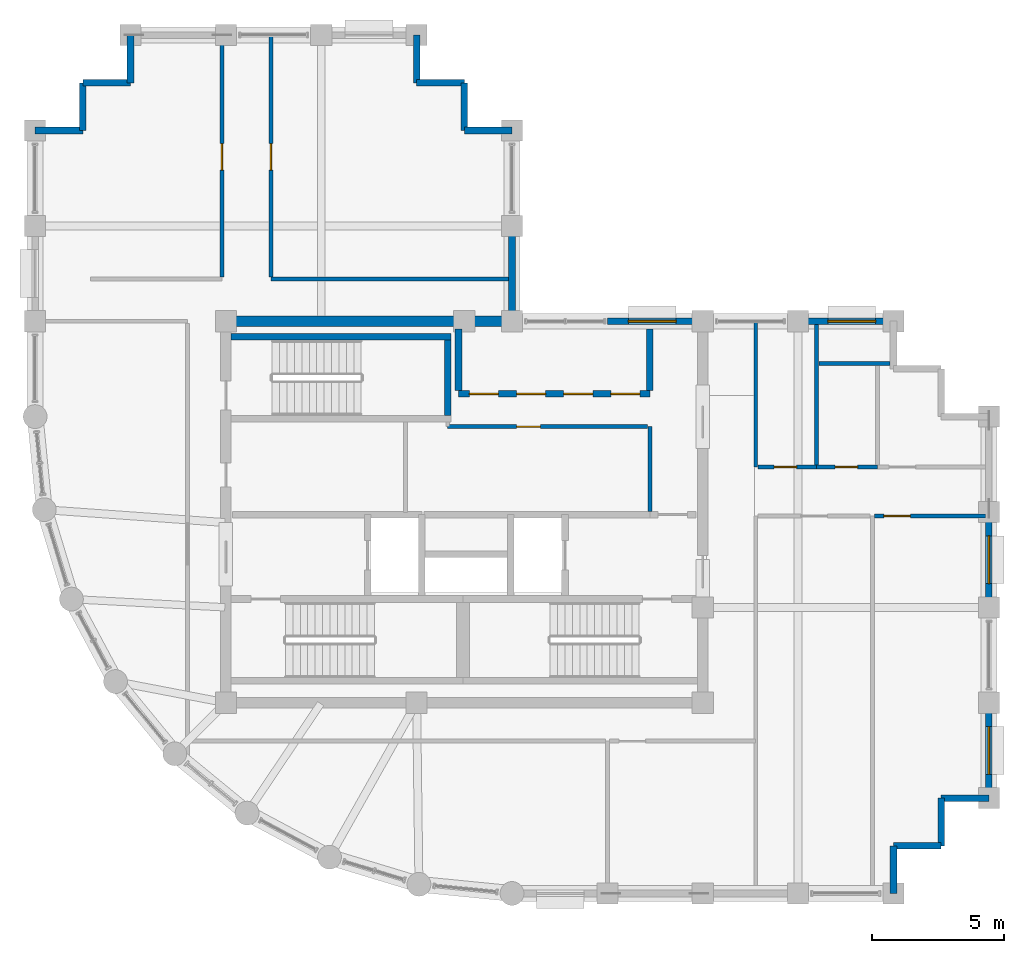
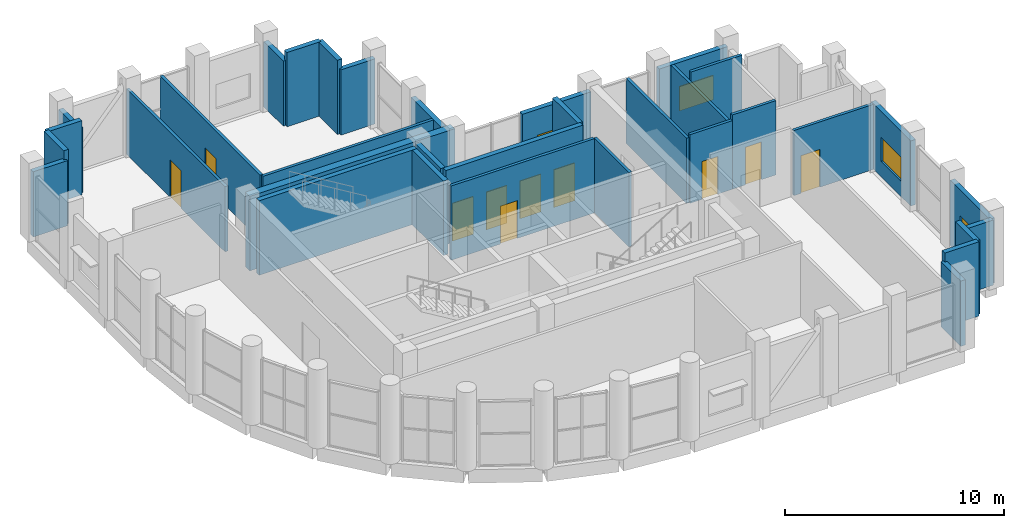
# One storey, part 15 of 18: 34 walls, 10 doors, 4 windows, 14 openings.
"""IFC4 building model written with IfcOpenShell, lengths in metres."""

from ifc_helpers import new_model, si_unit, direction, frame, frame_2d, origin, place, context, subcontext, project, spatial, rectangle, extrude, material, layer, layer_set, type_object, element, fill, save


model = new_model("IFC4")

# Units and contexts
model_context = context("Model", 3, precision=1e-05, world=origin(), true_north=direction((0.0, 1.0)))
body_context = subcontext(model_context, "Body", "Model", "MODEL_VIEW")
ifc_project = project(units=[si_unit("LENGTHUNIT", "METRE"), si_unit("AREAUNIT", "SQUARE_METRE"), si_unit("VOLUMEUNIT", "CUBIC_METRE"), si_unit("PLANEANGLEUNIT", "RADIAN"), si_unit("MASSUNIT", "GRAM", prefix="KILO")], contexts=[model_context])

# Site, building, storey
site_placement = place(None, origin())
site = spatial("IfcSite", under=ifc_project, at=site_placement, CompositionType="ELEMENT")
building_placement = place(site_placement, origin())
building = spatial("IfcBuilding", under=site, at=building_placement, Name="Solnavia Interchange Tower", CompositionType="ELEMENT")
storey_placement = place(building_placement, frame((0.0, 0.0, 295.39990234375)))
storey = spatial("IfcBuildingStorey", under=building, at=storey_placement, Name="L75", CompositionType="ELEMENT", Elevation=295.39990234375)

# Walls
ifc_material_1 = material(Name="Concrete C40/50", Category="concrete")
ifc_layer_1 = layer(ifc_material_1, 0.25)
ifc_layer_set_1 = layer_set([ifc_layer_1], Name="Concrete C40/50")
wall_type_1 = type_object("IfcWallType", Name="Wall-ExtSpandrel-250", PredefinedType="STANDARD", material=ifc_layer_set_1)
wall_1_placement = place(storey_placement, frame((39.60009765625, 5.39990234375, 0.0), z_axis=(0.0, 0.0, 1.0), x_axis=(0.0, -1.0, 0.0)))
element("IfcWall", 1, at=wall_1_placement, inside=storey, type_object=wall_type_1, Name="EXW-L75-05 Exterior precast spandrel wall", PredefinedType="STANDARD", context=body_context, shape_type="SweptSolid", body=[
    extrude(rectangle(XDim=1.7998046875, YDim=0.25, at=frame_2d((0.89990234375, 0.0))), origin(), (0.0, 0.0, 1.0), 3.630126953125),
])
wall_2_placement = place(storey_placement, frame((41.39990234375, 5.39990234375, 0.0), z_axis=(0.0, 0.0, 1.0), x_axis=(-1.0, 0.0, 0.0)))
element("IfcWall", 2, at=wall_2_placement, inside=storey, type_object=wall_type_1, Name="EXW-L75-06 Exterior precast spandrel wall", PredefinedType="STANDARD", context=body_context, shape_type="SweptSolid", body=[
    extrude(rectangle(XDim=1.7998046875, YDim=0.25, at=frame_2d((0.89990234375, 0.0))), origin(), (0.0, 0.0, 1.0), 4.135009765625),
])
wall_3_placement = place(storey_placement, frame((41.39990234375, 7.199951171875, 0.0), z_axis=(0.0, 0.0, 1.0), x_axis=(0.0, -1.0, 0.0)))
element("IfcWall", 3, at=wall_3_placement, inside=storey, type_object=wall_type_1, Name="EXW-L75-07 Exterior precast spandrel wall", PredefinedType="STANDARD", context=body_context, shape_type="SweptSolid", body=[
    extrude(rectangle(XDim=1.800048828125, YDim=0.25, at=frame_2d((0.89990234375, 0.0))), origin(), (0.0, 0.0, 1.0), 4.135009765625),
])
wall_4_placement = place(storey_placement, frame((43.199951171875, 7.199951171875, 0.0), z_axis=(0.0, 0.0, 1.0), x_axis=(-1.0, 0.0, 0.0)))
element("IfcWall", 4, at=wall_4_placement, inside=storey, type_object=wall_type_1, Name="EXW-L75-08 Exterior precast spandrel wall", PredefinedType="STANDARD", context=body_context, shape_type="SweptSolid", body=[
    extrude(rectangle(XDim=1.800048828125, YDim=0.25, at=frame_2d((0.89990234375, 0.0))), origin(), (0.0, 0.0, 1.0), 3.630126953125),
])

# Wall, opening, window
wall_5_placement = place(storey_placement, frame((43.199951171875, 10.800048828125, 0.0), z_axis=(0.0, 0.0, 1.0), x_axis=(0.0, -1.0, 0.0)))
wall_5 = element("IfcWall", 5, at=wall_5_placement, inside=storey, type_object=wall_type_1, Name="EXW-L75-09 Exterior precast spandrel wall", PredefinedType="STANDARD", context=body_context, shape_type="SweptSolid", body=[
    extrude(rectangle(XDim=3.60009765625, YDim=0.25, at=frame_2d((1.800048828125, 0.0))), origin(), (0.0, 0.0, 1.0), 3.630126953125),
])
opening_1_placement = place(wall_5_placement, frame((0.89990234375, 0.0, 0.85009765625)))
opening_1 = element("IfcOpeningElement", 6, at=opening_1_placement, cuts=wall_5, Name="Opening WIN-02", PredefinedType="OPENING", context=body_context, shape_type="SweptSolid", body=[
    extrude(rectangle(XDim=1.800048828125, YDim=1.35009765625, at=frame_2d((0.89990234375, 0.675048828125))), frame((0.0, 0.135009765625, 0.0), z_axis=(0.0, -1.0, 0.0), x_axis=(1.0, 0.0, 0.0)), (0.0, 0.0, 1.0), 0.27001953125),
])
ifc_material_2 = material(Name="Thermal-Break Aluminium & Low-E Glass", Category="aluminium")
window_type = type_object("IfcWindowType", Name="Window-Ribbon-1800x1350", PartitioningType="SINGLE_PANEL", PredefinedType="WINDOW", material=ifc_material_2)
window_1_placement = place(opening_1_placement, origin())
window_1 = element("IfcWindow", 7, at=window_1_placement, inside=storey, type_object=window_type, Name="WIN-L75-09 Facade ribbon window", OverallHeight=1.35009765625, OverallWidth=1.800048828125, PartitioningType="SINGLE_PANEL", PredefinedType="WINDOW", context=body_context, shape_type="SweptSolid", body=[
    extrude(rectangle(XDim=1.800048828125, YDim=1.35009765625, at=frame_2d((0.89990234375, 0.675048828125))), frame((0.0, 0.030029296875, 0.0), z_axis=(0.0, -1.0, 0.0), x_axis=(1.0, 0.0, 0.0)), (0.0, 0.0, 1.0), 0.06005859375),
])
fill(opening_1, window_1)

wall_6_placement = place(storey_placement, frame((43.199951171875, 18.0, 0.0), z_axis=(0.0, 0.0, 1.0), x_axis=(0.0, -1.0, 0.0)))
wall_6 = element("IfcWall", 8, at=wall_6_placement, inside=storey, type_object=wall_type_1, Name="EXW-L75-11 Exterior precast spandrel wall", PredefinedType="STANDARD", context=body_context, shape_type="SweptSolid", body=[
    extrude(rectangle(XDim=3.60009765625, YDim=0.25, at=frame_2d((1.800048828125, 0.0))), origin(), (0.0, 0.0, 1.0), 3.630126953125),
])
opening_2_placement = place(wall_6_placement, frame((0.89990234375, 0.0, 0.85009765625)))
opening_2 = element("IfcOpeningElement", 9, at=opening_2_placement, cuts=wall_6, Name="Opening WIN-02", PredefinedType="OPENING", context=body_context, shape_type="SweptSolid", body=[
    extrude(rectangle(XDim=1.800048828125, YDim=1.35009765625, at=frame_2d((0.89990234375, 0.675048828125))), frame((0.0, 0.135009765625, 0.0), z_axis=(0.0, -1.0, 0.0), x_axis=(1.0, 0.0, 0.0)), (0.0, 0.0, 1.0), 0.27001953125),
])
window_2_placement = place(opening_2_placement, origin())
window_2 = element("IfcWindow", 10, at=window_2_placement, inside=storey, type_object=window_type, Name="WIN-L75-11 Facade ribbon window", OverallHeight=1.35009765625, OverallWidth=1.800048828125, PartitioningType="SINGLE_PANEL", PredefinedType="WINDOW", context=body_context, shape_type="SweptSolid", body=[
    extrude(rectangle(XDim=1.800048828125, YDim=1.35009765625, at=frame_2d((0.89990234375, 0.675048828125))), frame((0.0, 0.030029296875, 0.0), z_axis=(0.0, -1.0, 0.0), x_axis=(1.0, 0.0, 0.0)), (0.0, 0.0, 1.0), 0.06005859375),
])
fill(opening_2, window_2)

wall_7_placement = place(storey_placement, frame((36.0, 25.199951171875, 0.0), z_axis=(0.0, 0.0, 1.0), x_axis=(1.0, 0.0, 0.0)))
wall_7 = element("IfcWall", 11, at=wall_7_placement, inside=storey, type_object=wall_type_1, Name="EXW-L75-17 Exterior precast spandrel wall", PredefinedType="STANDARD", context=body_context, shape_type="SweptSolid", body=[
    extrude(rectangle(XDim=3.60009765625, YDim=0.25, at=frame_2d((1.800048828125, 0.0))), origin(), (0.0, 0.0, 1.0), 3.630126953125),
])
opening_3_placement = place(wall_7_placement, frame((1.1201171875, 0.0, 0.85009765625)))
opening_3 = element("IfcOpeningElement", 12, at=opening_3_placement, cuts=wall_7, Name="Opening WIN-02", PredefinedType="OPENING", context=body_context, shape_type="SweptSolid", body=[
    extrude(rectangle(XDim=1.800048828125, YDim=1.35009765625, at=frame_2d((0.89990234375, 0.675048828125))), frame((0.0, 0.135009765625, 0.0), z_axis=(0.0, -1.0, 0.0), x_axis=(1.0, 0.0, 0.0)), (0.0, 0.0, 1.0), 0.27001953125),
])
window_3_placement = place(opening_3_placement, origin())
window_3 = element("IfcWindow", 13, at=window_3_placement, inside=storey, type_object=window_type, Name="WIN-L75-17 Facade ribbon window", OverallHeight=1.35009765625, OverallWidth=1.800048828125, PartitioningType="SINGLE_PANEL", PredefinedType="WINDOW", context=body_context, shape_type="SweptSolid", body=[
    extrude(rectangle(XDim=1.800048828125, YDim=1.35009765625, at=frame_2d((0.89990234375, 0.675048828125))), frame((0.0, 0.030029296875, 0.0), z_axis=(0.0, -1.0, 0.0), x_axis=(1.0, 0.0, 0.0)), (0.0, 0.0, 1.0), 0.06005859375),
])
fill(opening_3, window_3)

wall_8_placement = place(storey_placement, frame((28.800048828125, 25.199951171875, 0.0), z_axis=(0.0, 0.0, 1.0), x_axis=(1.0, 0.0, 0.0)))
wall_8 = element("IfcWall", 14, at=wall_8_placement, inside=storey, type_object=wall_type_1, Name="EXW-L75-19 Exterior precast spandrel wall", PredefinedType="STANDARD", context=body_context, shape_type="SweptSolid", body=[
    extrude(rectangle(XDim=3.599853515625, YDim=0.25, at=frame_2d((1.7998046875, 0.0))), origin(), (0.0, 0.0, 1.0), 3.630126953125),
])
opening_4_placement = place(wall_8_placement, frame((0.794921875, 0.0, 0.85009765625)))
opening_4 = element("IfcOpeningElement", 15, at=opening_4_placement, cuts=wall_8, Name="Opening WIN-02", PredefinedType="OPENING", context=body_context, shape_type="SweptSolid", body=[
    extrude(rectangle(XDim=1.800048828125, YDim=1.35009765625, at=frame_2d((0.89990234375, 0.675048828125))), frame((0.0, 0.135009765625, 0.0), z_axis=(0.0, -1.0, 0.0), x_axis=(1.0, 0.0, 0.0)), (0.0, 0.0, 1.0), 0.27001953125),
])
window_4_placement = place(opening_4_placement, origin())
window_4 = element("IfcWindow", 16, at=window_4_placement, inside=storey, type_object=window_type, Name="WIN-L75-19 Facade ribbon window", OverallHeight=1.35009765625, OverallWidth=1.800048828125, PartitioningType="SINGLE_PANEL", PredefinedType="WINDOW", context=body_context, shape_type="SweptSolid", body=[
    extrude(rectangle(XDim=1.800048828125, YDim=1.35009765625, at=frame_2d((0.89990234375, 0.675048828125))), frame((0.0, 0.030029296875, 0.0), z_axis=(0.0, -1.0, 0.0), x_axis=(1.0, 0.0, 0.0)), (0.0, 0.0, 1.0), 0.06005859375),
])
fill(opening_4, window_4)

# Walls
wall_9_placement = place(storey_placement, frame((25.199951171875, 28.800048828125, 0.0), z_axis=(0.0, 0.0, 1.0), x_axis=(0.0, -1.0, 0.0)))
element("IfcWall", 17, at=wall_9_placement, inside=storey, type_object=wall_type_1, Name="EXW-L75-21 Exterior precast spandrel wall", PredefinedType="STANDARD", context=body_context, shape_type="SweptSolid", body=[
    extrude(rectangle(XDim=3.60009765625, YDim=0.25, at=frame_2d((1.800048828125, 0.0))), origin(), (0.0, 0.0, 1.0), 3.630126953125),
])
wall_10_placement = place(storey_placement, frame((23.39990234375, 32.39990234375, 0.0), z_axis=(0.0, 0.0, 1.0), x_axis=(1.0, 0.0, 0.0)))
element("IfcWall", 18, at=wall_10_placement, inside=storey, type_object=wall_type_1, Name="EXW-L75-23 Exterior precast spandrel wall", PredefinedType="STANDARD", context=body_context, shape_type="SweptSolid", body=[
    extrude(rectangle(XDim=1.800048828125, YDim=0.25, at=frame_2d((0.89990234375, 0.0))), origin(), (0.0, 0.0, 1.0), 3.630126953125),
])
wall_11_placement = place(storey_placement, frame((23.39990234375, 32.39990234375, 0.0), z_axis=(0.0, 0.0, 1.0), x_axis=(0.0, 1.0, 0.0)))
element("IfcWall", 19, at=wall_11_placement, inside=storey, type_object=wall_type_1, Name="EXW-L75-24 Exterior precast spandrel wall", PredefinedType="STANDARD", context=body_context, shape_type="SweptSolid", body=[
    extrude(rectangle(XDim=1.800048828125, YDim=0.25, at=frame_2d((0.89990234375, 0.0))), origin(), (0.0, 0.0, 1.0), 4.135009765625),
])
wall_12_placement = place(storey_placement, frame((21.60009765625, 34.199951171875, 0.0), z_axis=(0.0, 0.0, 1.0), x_axis=(1.0, 0.0, 0.0)))
element("IfcWall", 20, at=wall_12_placement, inside=storey, type_object=wall_type_1, Name="EXW-L75-25 Exterior precast spandrel wall", PredefinedType="STANDARD", context=body_context, shape_type="SweptSolid", body=[
    extrude(rectangle(XDim=1.7998046875, YDim=0.25, at=frame_2d((0.89990234375, 0.0))), origin(), (0.0, 0.0, 1.0), 4.135009765625),
])
for number, where, z_axis, x_axis, name in (
    (21, (21.60009765625, 34.199951171875, 0.0), (0.0, 0.0, 1.0), (0.0, 1.0, 0.0), "EXW-L75-26 Exterior precast spandrel wall"),
    (22, (10.800048828125, 34.199951171875, 0.0), (0.0, 0.0, 1.0), (0.0, 1.0, 0.0), "EXW-L75-30 Exterior precast spandrel wall"),
):
    element("IfcWall", number, at=place(storey_placement, frame(where, z_axis=z_axis, x_axis=x_axis)), inside=storey, type_object=wall_type_1, Name=name, PredefinedType="STANDARD", context=body_context, shape_type="SweptSolid", body=[
        extrude(rectangle(XDim=1.800048828125, YDim=0.25, at=frame_2d((0.89990234375, 0.0))), origin(), (0.0, 0.0, 1.0), 3.630126953125),
    ])
for number, where, z_axis, x_axis, name in (
    (23, (9.0, 34.199951171875, 0.0), (0.0, 0.0, 1.0), (1.0, 0.0, 0.0), "EXW-L75-31 Exterior precast spandrel wall"),
    (24, (9.0, 32.39990234375, 0.0), (0.0, 0.0, 1.0), (0.0, 1.0, 0.0), "EXW-L75-32 Exterior precast spandrel wall"),
):
    element("IfcWall", number, at=place(storey_placement, frame(where, z_axis=z_axis, x_axis=x_axis)), inside=storey, type_object=wall_type_1, Name=name, PredefinedType="STANDARD", context=body_context, shape_type="SweptSolid", body=[
        extrude(rectangle(XDim=1.800048828125, YDim=0.25, at=frame_2d((0.89990234375, 0.0))), origin(), (0.0, 0.0, 1.0), 4.135009765625),
    ])
wall_13_placement = place(storey_placement, frame((7.199951171875, 32.39990234375, 0.0), z_axis=(0.0, 0.0, 1.0), x_axis=(1.0, 0.0, 0.0)))
element("IfcWall", 25, at=wall_13_placement, inside=storey, type_object=wall_type_1, Name="EXW-L75-33 Exterior precast spandrel wall", PredefinedType="STANDARD", context=body_context, shape_type="SweptSolid", body=[
    extrude(rectangle(XDim=1.800048828125, YDim=0.25, at=frame_2d((0.89990234375, 0.0))), origin(), (0.0, 0.0, 1.0), 3.630126953125),
])

# Wall, opening, door
ifc_material_3 = material(Name="Gypsum Plasterboard & Steel Stud", Category="steel")
ifc_layer_2 = layer(ifc_material_3, 0.14990234375)
ifc_layer_set_2 = layer_set([ifc_layer_2], Name="Gypsum Plasterboard & Steel Stud")
wall_type_2 = type_object("IfcWallType", Name="Wall-Partition-150", PredefinedType="PARTITIONING", material=ifc_layer_set_2)
wall_14_placement = place(storey_placement, frame((22.77490234375, 21.219970703125, 0.0), z_axis=(0.0, 0.0, 1.0), x_axis=(1.0, 0.0, 0.0)))
wall_14 = element("IfcWall", 26, at=wall_14_placement, inside=storey, type_object=wall_type_2, Name="CSW-L75-N-ALL Core shaft wall", PredefinedType="PARTITIONING", context=body_context, shape_type="SweptSolid", body=[
    extrude(rectangle(XDim=7.545166015625, YDim=0.14990234375, at=frame_2d((3.7724609375, 0.0))), origin(), (0.0, 0.0, 1.0), 4.135009765625),
])
opening_5_placement = place(wall_14_placement, frame((2.60009765625, 0.0, 0.0)))
opening_5 = element("IfcOpeningElement", 27, at=opening_5_placement, cuts=wall_14, Name="Opening DR-09", PredefinedType="OPENING", context=body_context, shape_type="SweptSolid", body=[
    extrude(rectangle(XDim=0.89990234375, YDim=2.10009765625, at=frame_2d((0.449951171875, 1.050048828125))), frame((0.0, 0.0849609375, 0.0), z_axis=(0.0, -1.0, 0.0), x_axis=(1.0, 0.0, 0.0)), (0.0, 0.0, 1.0), 0.169921875),
])
ifc_material_4 = material(Name="Engineered Oak Veneer Door", Category="wood")
door_type_1 = type_object("IfcDoorType", Name="Door-Internal-900x2100", OperationType="SINGLE_SWING_LEFT", PredefinedType="DOOR", material=ifc_material_4)
door_1_placement = place(opening_5_placement, origin())
door_1 = element("IfcDoor", 28, at=door_1_placement, inside=storey, type_object=door_type_1, Name="DR-L75-CS2 Core fire door", OperationType="SINGLE_SWING_RIGHT", OverallHeight=2.10009765625, OverallWidth=0.89990234375, PredefinedType="DOOR", context=body_context, shape_type="SweptSolid", body=[
    extrude(rectangle(XDim=0.89990234375, YDim=2.10009765625, at=frame_2d((0.449951171875, 1.050048828125))), frame((0.0, 0.02490234375, 0.0), z_axis=(0.0, -1.0, 0.0), x_axis=(1.0, 0.0, 0.0)), (0.0, 0.0, 1.0), 0.050048828125),
])
fill(opening_5, door_1)

# Wall
wall_15_placement = place(storey_placement, frame((30.39990234375, 18.02001953125, 0.0), z_axis=(0.0, 0.0, 1.0), x_axis=(0.0, 1.0, 0.0)))
element("IfcWall", 29, at=wall_15_placement, inside=storey, type_object=wall_type_2, Name="CSW-L75-E-E Core shaft wall", PredefinedType="PARTITIONING", context=body_context, shape_type="SweptSolid", body=[
    extrude(rectangle(XDim=3.199951171875, YDim=0.14990234375, at=frame_2d((1.60009765625, 0.0))), origin(), (0.0, 0.0, 1.0), 4.135009765625),
])

# Wall, opening, door
wall_16_placement = place(storey_placement, frame((38.87890625, 17.85009765625, 0.0), z_axis=(0.0, 0.0, 1.0), x_axis=(1.0, 0.0, 0.0)))
wall_16 = element("IfcWall", 30, at=wall_16_placement, inside=storey, type_object=wall_type_2, Name="PTW-L75-15 Interior partition wall", PredefinedType="PARTITIONING", context=body_context, shape_type="SweptSolid", body=[
    extrude(rectangle(XDim=4.192138671875, YDim=0.14990234375, at=frame_2d((2.09619140625, 0.0))), origin(), (0.0, 0.0, 1.0), 3.630126953125),
])
opening_6_placement = place(wall_16_placement, frame((0.360107421875, 0.0, 0.0)))
opening_6 = element("IfcOpeningElement", 31, at=opening_6_placement, cuts=wall_16, Name="Opening DR-07", PredefinedType="OPENING", context=body_context, shape_type="SweptSolid", body=[
    extrude(rectangle(XDim=1.0, YDim=2.10009765625, at=frame_2d((0.5, 1.050048828125))), frame((0.0, 0.0849609375, 0.0), z_axis=(0.0, -1.0, 0.0), x_axis=(1.0, 0.0, 0.0)), (0.0, 0.0, 1.0), 0.169921875),
])
ifc_material_5 = material(Name="Timber & Acoustic Glazed Office Door", Category="wood")
door_type_2 = type_object("IfcDoorType", Name="Door-Office-1000x2100", OperationType="SINGLE_SWING_RIGHT", PredefinedType="DOOR", material=ifc_material_5)
door_2_placement = place(opening_6_placement, origin())
door_2 = element("IfcDoor", 32, at=door_2_placement, inside=storey, type_object=door_type_2, Name="DR-L75-06 Interior room door", OperationType="SINGLE_SWING_RIGHT", OverallHeight=2.10009765625, OverallWidth=1.0, PredefinedType="DOOR", context=body_context, shape_type="SweptSolid", body=[
    extrude(rectangle(XDim=1.0, YDim=2.10009765625, at=frame_2d((0.5, 1.050048828125))), frame((0.0, 0.02490234375, 0.0), z_axis=(0.0, -1.0, 0.0), x_axis=(1.0, 0.0, 0.0)), (0.0, 0.0, 1.0), 0.050048828125),
])
fill(opening_6, door_2)

wall_17_placement = place(storey_placement, frame((14.25, 26.87890625, 0.0), z_axis=(0.0, 0.0, 1.0), x_axis=(0.0, 1.0, 0.0)))
wall_17 = element("IfcWall", 33, at=wall_17_placement, inside=storey, type_object=wall_type_2, Name="PTW-L75-18 Interior partition wall", PredefinedType="PARTITIONING", context=body_context, shape_type="SweptSolid", body=[
    extrude(rectangle(XDim=8.9921875, YDim=0.14990234375, at=frame_2d((4.49609375, 0.0))), origin(), (0.0, 0.0, 1.0), 3.630126953125),
])
opening_7_placement = place(wall_17_placement, frame((4.02099609375, 0.0, 0.0)))
opening_7 = element("IfcOpeningElement", 34, at=opening_7_placement, cuts=wall_17, Name="Opening DR-07", PredefinedType="OPENING", context=body_context, shape_type="SweptSolid", body=[
    extrude(rectangle(XDim=1.0, YDim=2.10009765625, at=frame_2d((0.5, 1.050048828125))), frame((0.0, 0.0849609375, 0.0), z_axis=(0.0, -1.0, 0.0), x_axis=(1.0, 0.0, 0.0)), (0.0, 0.0, 1.0), 0.169921875),
])
door_3_placement = place(opening_7_placement, origin())
door_3 = element("IfcDoor", 35, at=door_3_placement, inside=storey, type_object=door_type_2, Name="DR-L75-08 Interior room door", OperationType="SINGLE_SWING_RIGHT", OverallHeight=2.10009765625, OverallWidth=1.0, PredefinedType="DOOR", context=body_context, shape_type="SweptSolid", body=[
    extrude(rectangle(XDim=1.0, YDim=2.10009765625, at=frame_2d((0.5, 1.050048828125))), frame((0.0, 0.02490234375, 0.0), z_axis=(0.0, -1.0, 0.0), x_axis=(1.0, 0.0, 0.0)), (0.0, 0.0, 1.0), 0.050048828125),
])
fill(opening_7, door_3)

# Wall
wall_18_placement = place(storey_placement, frame((16.10009765625, 26.800048828125, 0.0), z_axis=(0.0, 0.0, 1.0), x_axis=(1.0, 0.0, 0.0)))
element("IfcWall", 36, at=wall_18_placement, inside=storey, type_object=wall_type_2, Name="PTW-L75-19 Interior partition wall", PredefinedType="PARTITIONING", context=body_context, shape_type="SweptSolid", body=[
    extrude(rectangle(XDim=8.970947265625, YDim=0.14990234375, at=frame_2d((4.4853515625, 0.0))), origin(), (0.0, 0.0, 1.0), 3.630126953125),
])

# Wall, opening, door
wall_19_placement = place(storey_placement, frame((16.10009765625, 26.87890625, 0.0), z_axis=(0.0, 0.0, 1.0), x_axis=(0.0, 1.0, 0.0)))
wall_19 = element("IfcWall", 37, at=wall_19_placement, inside=storey, type_object=wall_type_2, Name="PTW-L75-20 Interior partition wall", PredefinedType="PARTITIONING", context=body_context, shape_type="SweptSolid", body=[
    extrude(rectangle(XDim=9.12109375, YDim=0.14990234375, at=frame_2d((4.560546875, 0.0))), origin(), (0.0, 0.0, 1.0), 3.630126953125),
])
opening_8_placement = place(wall_19_placement, frame((4.02099609375, 0.0, 0.0)))
opening_8 = element("IfcOpeningElement", 38, at=opening_8_placement, cuts=wall_19, Name="Opening DR-07", PredefinedType="OPENING", context=body_context, shape_type="SweptSolid", body=[
    extrude(rectangle(XDim=1.0, YDim=2.10009765625, at=frame_2d((0.5, 1.050048828125))), frame((0.0, 0.0849609375, 0.0), z_axis=(0.0, -1.0, 0.0), x_axis=(1.0, 0.0, 0.0)), (0.0, 0.0, 1.0), 0.169921875),
])
door_4_placement = place(opening_8_placement, origin())
door_4 = element("IfcDoor", 39, at=door_4_placement, inside=storey, type_object=door_type_2, Name="DR-L75-09 Interior room door", OperationType="SINGLE_SWING_LEFT", OverallHeight=2.10009765625, OverallWidth=1.0, PredefinedType="DOOR", context=body_context, shape_type="SweptSolid", body=[
    extrude(rectangle(XDim=1.0, YDim=2.10009765625, at=frame_2d((0.5, 1.050048828125))), frame((0.0, 0.02490234375, 0.0), z_axis=(0.0, -1.0, 0.0), x_axis=(1.0, 0.0, 0.0)), (0.0, 0.0, 1.0), 0.050048828125),
])
fill(opening_8, door_4)

# Walls
ifc_layer_3 = layer(ifc_material_1, 0.25)
ifc_layer_set_3 = layer_set([ifc_layer_3], Name="Concrete C40/50")
wall_type_3 = type_object("IfcWallType", Name="Wall-ShaftCore-250", PredefinedType="SHEAR", material=ifc_layer_set_3)
wall_20_placement = place(storey_placement, frame((14.60009765625, 24.614990234375, 0.0), z_axis=(0.0, 0.0, 1.0), x_axis=(1.0, 0.0, 0.0)))
element("IfcWall", 40, at=wall_20_placement, inside=storey, type_object=wall_type_3, Name="SHW-L75-ST3N Core shear wall", PredefinedType="SHEAR", context=body_context, shape_type="SweptSolid", body=[
    extrude(rectangle(XDim=8.2998046875, YDim=0.25, at=frame_2d((4.14990234375, 0.0))), origin(), (0.0, 0.0, 1.0), 4.150146484375),
])
wall_21_placement = place(storey_placement, frame((22.77490234375, 21.64990234375, 0.0), z_axis=(0.0, 0.0, 1.0), x_axis=(0.0, 1.0, 0.0)))
element("IfcWall", 41, at=wall_21_placement, inside=storey, type_object=wall_type_3, Name="SHW-L75-ST3E Core shear wall", PredefinedType="SHEAR", context=body_context, shape_type="SweptSolid", body=[
    extrude(rectangle(XDim=2.840087890625, YDim=0.25, at=frame_2d((1.419921875, 0.0))), origin(), (0.0, 0.0, 1.0), 4.150146484375),
])

# Wall, openings, doors
ifc_layer_4 = layer(ifc_material_1, 0.25)
ifc_layer_set_4 = layer_set([ifc_layer_4], Name="Concrete C40/50")
wall_type_4 = type_object("IfcWallType", Name="Wall-ShaftPart-250", PredefinedType="PARTITIONING", material=ifc_layer_set_4)
wall_22_placement = place(storey_placement, frame((23.179931640625, 22.4599609375, 0.0), z_axis=(0.0, 0.0, 1.0), x_axis=(1.0, 0.0, 0.0)))
wall_22 = element("IfcWall", 42, at=wall_22_placement, inside=storey, type_object=wall_type_4, Name="SHW-L75-B3S Core shaft wall", PredefinedType="PARTITIONING", context=body_context, shape_type="SweptSolid", body=[
    extrude(rectangle(XDim=7.219970703125, YDim=0.25, at=frame_2d((3.60986328125, 0.0))), origin(), (0.0, 0.0, 1.0), 4.135009765625),
])
opening_9_placement = place(wall_22_placement, frame((0.409912109375, 0.0, 0.0)))
opening_9 = element("IfcOpeningElement", 43, at=opening_9_placement, cuts=wall_22, Name="Opening LD-01", PredefinedType="OPENING", context=body_context, shape_type="SweptSolid", body=[
    extrude(rectangle(XDim=1.10009765625, YDim=2.10009765625, at=frame_2d((0.550048828125, 1.050048828125))), frame((0.0, 0.135009765625, 0.0), z_axis=(0.0, -1.0, 0.0), x_axis=(1.0, 0.0, 0.0)), (0.0, 0.0, 1.0), 0.27001953125),
])
opening_10_placement = place(wall_22_placement, frame((2.18994140625, 0.0, 0.0)))
opening_10 = element("IfcOpeningElement", 44, at=opening_10_placement, cuts=wall_22, Name="Opening LD-01", PredefinedType="OPENING", context=body_context, shape_type="SweptSolid", body=[
    extrude(rectangle(XDim=1.10009765625, YDim=2.10009765625, at=frame_2d((0.550048828125, 1.050048828125))), frame((0.0, 0.135009765625, 0.0), z_axis=(0.0, -1.0, 0.0), x_axis=(1.0, 0.0, 0.0)), (0.0, 0.0, 1.0), 0.27001953125),
])
opening_11_placement = place(wall_22_placement, frame((3.969970703125, 0.0, 0.0)))
opening_11 = element("IfcOpeningElement", 45, at=opening_11_placement, cuts=wall_22, Name="Opening LD-01", PredefinedType="OPENING", context=body_context, shape_type="SweptSolid", body=[
    extrude(rectangle(XDim=1.10009765625, YDim=2.10009765625, at=frame_2d((0.550048828125, 1.050048828125))), frame((0.0, 0.135009765625, 0.0), z_axis=(0.0, -1.0, 0.0), x_axis=(1.0, 0.0, 0.0)), (0.0, 0.0, 1.0), 0.27001953125),
])
opening_12_placement = place(wall_22_placement, frame((5.75, 0.0, 0.0)))
opening_12 = element("IfcOpeningElement", 46, at=opening_12_placement, cuts=wall_22, Name="Opening LD-01", PredefinedType="OPENING", context=body_context, shape_type="SweptSolid", body=[
    extrude(rectangle(XDim=1.10009765625, YDim=2.10009765625, at=frame_2d((0.550048828125, 1.050048828125))), frame((0.0, 0.135009765625, 0.0), z_axis=(0.0, -1.0, 0.0), x_axis=(1.0, 0.0, 0.0)), (0.0, 0.0, 1.0), 0.27001953125),
])
ifc_material_6 = material(Name="Brushed Stainless Steel Sliding Door", Category="steel")
door_type_3 = type_object("IfcDoorType", Name="Door-LiftLanding-1100x2100", OperationType="SLIDING_TO_LEFT", PredefinedType="DOOR", material=ifc_material_6)
door_5_placement = place(opening_9_placement, origin())
door_5 = element("IfcDoor", 47, at=door_5_placement, inside=storey, type_object=door_type_3, Name="LD-L75-B3-1 Lift landing sliding door", OperationType="SLIDING_TO_LEFT", OverallHeight=2.10009765625, OverallWidth=1.10009765625, PredefinedType="DOOR", context=body_context, shape_type="SweptSolid", body=[
    extrude(rectangle(XDim=1.10009765625, YDim=2.10009765625, at=frame_2d((0.550048828125, 1.050048828125))), frame((0.0, 0.02490234375, 0.0), z_axis=(0.0, -1.0, 0.0), x_axis=(1.0, 0.0, 0.0)), (0.0, 0.0, 1.0), 0.050048828125),
])
fill(opening_9, door_5)
door_6_placement = place(opening_10_placement, origin())
door_6 = element("IfcDoor", 48, at=door_6_placement, inside=storey, type_object=door_type_3, Name="LD-L75-B3-2 Lift landing sliding door", OperationType="SLIDING_TO_LEFT", OverallHeight=2.10009765625, OverallWidth=1.10009765625, PredefinedType="DOOR", context=body_context, shape_type="SweptSolid", body=[
    extrude(rectangle(XDim=1.10009765625, YDim=2.10009765625, at=frame_2d((0.550048828125, 1.050048828125))), frame((0.0, 0.02490234375, 0.0), z_axis=(0.0, -1.0, 0.0), x_axis=(1.0, 0.0, 0.0)), (0.0, 0.0, 1.0), 0.050048828125),
])
fill(opening_10, door_6)
door_7_placement = place(opening_11_placement, origin())
door_7 = element("IfcDoor", 49, at=door_7_placement, inside=storey, type_object=door_type_3, Name="LD-L75-B3-3 Lift landing sliding door", OperationType="SLIDING_TO_LEFT", OverallHeight=2.10009765625, OverallWidth=1.10009765625, PredefinedType="DOOR", context=body_context, shape_type="SweptSolid", body=[
    extrude(rectangle(XDim=1.10009765625, YDim=2.10009765625, at=frame_2d((0.550048828125, 1.050048828125))), frame((0.0, 0.02490234375, 0.0), z_axis=(0.0, -1.0, 0.0), x_axis=(1.0, 0.0, 0.0)), (0.0, 0.0, 1.0), 0.050048828125),
])
fill(opening_11, door_7)
door_8_placement = place(opening_12_placement, origin())
door_8 = element("IfcDoor", 50, at=door_8_placement, inside=storey, type_object=door_type_3, Name="LD-L75-B3-4 Lift landing sliding door", OperationType="SLIDING_TO_LEFT", OverallHeight=2.10009765625, OverallWidth=1.10009765625, PredefinedType="DOOR", context=body_context, shape_type="SweptSolid", body=[
    extrude(rectangle(XDim=1.10009765625, YDim=2.10009765625, at=frame_2d((0.550048828125, 1.050048828125))), frame((0.0, 0.02490234375, 0.0), z_axis=(0.0, -1.0, 0.0), x_axis=(1.0, 0.0, 0.0)), (0.0, 0.0, 1.0), 0.050048828125),
])
fill(opening_12, door_8)

# Walls
for number, where, z_axis, x_axis, name in (
    (51, (23.179931640625, 22.5849609375, 0.0), (0.0, 0.0, 1.0), (0.0, 1.0, 0.0), "SHW-L75-B3W Core shaft wall"),
    (52, (30.39990234375, 22.5849609375, 0.0), (0.0, 0.0, 1.0), (0.0, 1.0, 0.0), "SHW-L75-B3E Core shaft wall"),
):
    element("IfcWall", number, at=place(storey_placement, frame(where, z_axis=z_axis, x_axis=x_axis)), inside=storey, type_object=wall_type_4, Name=name, PredefinedType="PARTITIONING", context=body_context, shape_type="SweptSolid", body=[
        extrude(rectangle(XDim=2.31494140625, YDim=0.25, at=frame_2d((1.157470703125, 0.0))), origin(), (0.0, 0.0, 1.0), 4.135009765625),
    ])
ifc_material_7 = material(Name="Concrete C50/60", Category="concrete")
ifc_layer_5 = layer(ifc_material_7, 0.39990234375)
ifc_layer_set_5 = layer_set([ifc_layer_5], Name="Concrete C50/60")
wall_type_5 = type_object("IfcWallType", Name="Wall-ShearCore-400", PredefinedType="SHEAR", material=ifc_layer_set_5)
wall_23_placement = place(storey_placement, frame((14.39990234375, 25.199951171875, 0.0), z_axis=(0.0, 0.0, 1.0), x_axis=(1.0, 0.0, 0.0)))
element("IfcWall", 53, at=wall_23_placement, inside=storey, type_object=wall_type_5, Name="CRW-L75-N Core shear wall", PredefinedType="SHEAR", context=body_context, shape_type="SweptSolid", body=[
    extrude(rectangle(XDim=10.800048828125, YDim=0.39990234375, at=frame_2d((5.39990234375, 0.0))), origin(), (0.0, 0.0, 1.0), 4.150146484375),
])
ifc_material_8 = material(Name="Moisture-Resistant Gypsum & Steel Stud", Category="steel")
ifc_layer_6 = layer(ifc_material_8, 0.14990234375)
ifc_layer_set_6 = layer_set([ifc_layer_6], Name="Moisture-Resistant Gypsum & Steel Stud")
wall_type_6 = type_object("IfcWallType", Name="Wall-WetRoom-150", PredefinedType="PARTITIONING", material=ifc_layer_set_6)
wall_24_placement = place(storey_placement, frame((34.39990234375, 19.699951171875, 0.0), z_axis=(0.0, 0.0, 1.0), x_axis=(0.0, 1.0, 0.0)))
element("IfcWall", 54, at=wall_24_placement, inside=storey, type_object=wall_type_6, Name="PTW-L75-01 Interior partition wall", PredefinedType="PARTITIONING", context=body_context, shape_type="SweptSolid", body=[
    extrude(rectangle(XDim=5.5, YDim=0.14990234375, at=frame_2d((2.75, 0.0))), origin(), (0.0, 0.0, 1.0), 3.630126953125),
])

# Wall, opening, door
wall_25_placement = place(storey_placement, frame((34.47900390625, 19.699951171875, 0.0), z_axis=(0.0, 0.0, 1.0), x_axis=(1.0, 0.0, 0.0)))
wall_25 = element("IfcWall", 55, at=wall_25_placement, inside=storey, type_object=wall_type_6, Name="PTW-L75-02 Interior partition wall", PredefinedType="PARTITIONING", context=body_context, shape_type="SweptSolid", body=[
    extrude(rectangle(XDim=2.220947265625, YDim=0.14990234375, at=frame_2d((1.1103515625, 0.0))), origin(), (0.0, 0.0, 1.0), 3.820068359375),
])
opening_13_placement = place(wall_25_placement, frame((0.617919921875, 0.0, 0.0)))
opening_13 = element("IfcOpeningElement", 56, at=opening_13_placement, cuts=wall_25, Name="Opening DR-10", PredefinedType="OPENING", context=body_context, shape_type="SweptSolid", body=[
    extrude(rectangle(XDim=0.85009765625, YDim=2.10009765625, at=frame_2d((0.425048828125, 1.050048828125))), frame((0.0, 0.0849609375, 0.0), z_axis=(0.0, -1.0, 0.0), x_axis=(1.0, 0.0, 0.0)), (0.0, 0.0, 1.0), 0.169921875),
])
ifc_material_9 = material(Name="Moisture-Resistant Timber Door", Category="wood")
door_type_4 = type_object("IfcDoorType", Name="Door-Bathroom-850x2100", OperationType="SINGLE_SWING_RIGHT", PredefinedType="DOOR", material=ifc_material_9)
door_9_placement = place(opening_13_placement, origin())
door_9 = element("IfcDoor", 57, at=door_9_placement, inside=storey, type_object=door_type_4, Name="DR-L75-01 Interior room door", OperationType="SINGLE_SWING_LEFT", OverallHeight=2.10009765625, OverallWidth=0.85009765625, PredefinedType="DOOR", context=body_context, shape_type="SweptSolid", body=[
    extrude(rectangle(XDim=0.85009765625, YDim=2.10009765625, at=frame_2d((0.425048828125, 1.050048828125))), frame((0.0, 0.02490234375, 0.0), z_axis=(0.0, -1.0, 0.0), x_axis=(1.0, 0.0, 0.0)), (0.0, 0.0, 1.0), 0.050048828125),
])
fill(opening_13, door_9)

# Wall
wall_26_placement = place(storey_placement, frame((36.699951171875, 19.779052734375, 0.0), z_axis=(0.0, 0.0, 1.0), x_axis=(0.0, 1.0, 0.0)))
element("IfcWall", 58, at=wall_26_placement, inside=storey, type_object=wall_type_6, Name="PTW-L75-03 Interior partition wall", PredefinedType="PARTITIONING", context=body_context, shape_type="SweptSolid", body=[
    extrude(rectangle(XDim=5.2919921875, YDim=0.14990234375, at=frame_2d((2.64599609375, 0.0))), origin(), (0.0, 0.0, 1.0), 3.630126953125),
])

# Wall, opening, door
wall_27_placement = place(storey_placement, frame((36.699951171875, 19.699951171875, 0.0), z_axis=(0.0, 0.0, 1.0), x_axis=(1.0, 0.0, 0.0)))
wall_27 = element("IfcWall", 59, at=wall_27_placement, inside=storey, type_object=wall_type_6, Name="PTW-L75-04 Interior partition wall", PredefinedType="PARTITIONING", context=body_context, shape_type="SweptSolid", body=[
    extrude(rectangle(XDim=2.300048828125, YDim=0.14990234375, at=frame_2d((1.14990234375, 0.0))), origin(), (0.0, 0.0, 1.0), 4.135009765625),
])
opening_14_placement = place(wall_27_placement, frame((0.697021484375, 0.0, 0.0)))
opening_14 = element("IfcOpeningElement", 60, at=opening_14_placement, cuts=wall_27, Name="Opening DR-10", PredefinedType="OPENING", context=body_context, shape_type="SweptSolid", body=[
    extrude(rectangle(XDim=0.85009765625, YDim=2.10009765625, at=frame_2d((0.425048828125, 1.050048828125))), frame((0.0, 0.0849609375, 0.0), z_axis=(0.0, -1.0, 0.0), x_axis=(1.0, 0.0, 0.0)), (0.0, 0.0, 1.0), 0.169921875),
])
door_10_placement = place(opening_14_placement, origin())
door_10 = element("IfcDoor", 61, at=door_10_placement, inside=storey, type_object=door_type_4, Name="DR-L75-02 Interior room door", OperationType="SINGLE_SWING_RIGHT", OverallHeight=2.10009765625, OverallWidth=0.85009765625, PredefinedType="DOOR", context=body_context, shape_type="SweptSolid", body=[
    extrude(rectangle(XDim=0.85009765625, YDim=2.10009765625, at=frame_2d((0.425048828125, 1.050048828125))), frame((0.0, 0.02490234375, 0.0), z_axis=(0.0, -1.0, 0.0), x_axis=(1.0, 0.0, 0.0)), (0.0, 0.0, 1.0), 0.050048828125),
])
fill(opening_14, door_10)

# Wall
wall_28_placement = place(storey_placement, frame((36.779052734375, 23.60009765625, 0.0), z_axis=(0.0, 0.0, 1.0), x_axis=(1.0, 0.0, 0.0)))
element("IfcWall", 62, at=wall_28_placement, inside=storey, type_object=wall_type_6, Name="PTW-L75-06 Interior partition wall", PredefinedType="PARTITIONING", context=body_context, shape_type="SweptSolid", body=[
    extrude(rectangle(XDim=2.69189453125, YDim=0.14990234375, at=frame_2d((1.345947265625, 0.0))), origin(), (0.0, 0.0, 1.0), 4.135009765625),
])

save(model, "model.ifc")
